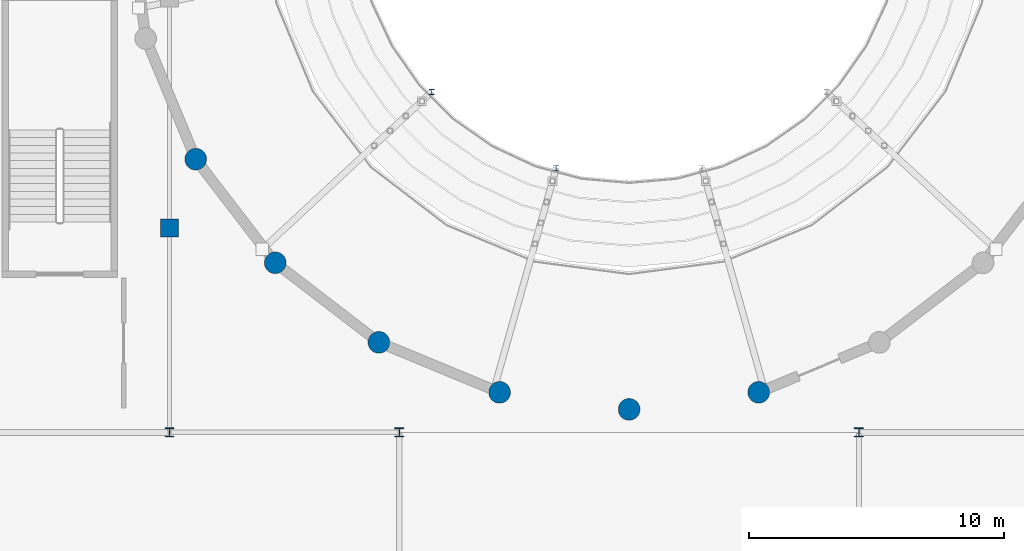
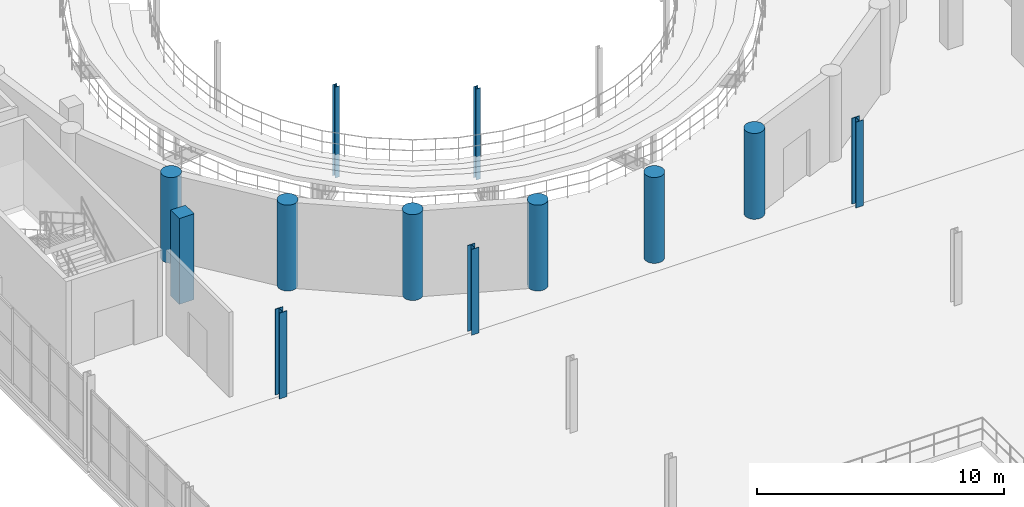
# One storey, part 7 of 73: 12 columns.
"""IFC4 building model written with IfcOpenShell, lengths in metres."""

import ifcopenshell
import ifcopenshell.guid

model = None  # the IFC model being written
_history = None  # IfcOwnerHistory: only IFC2X3 demands one
_inside = {}  # id of a spatial element -> (the spatial element, [elements in it])
_under = {}  # id of a project, library or spatial element -> (it, [spatial elements below it])
_declared = {}  # id of a project -> (the project, [libraries it declares])
_typed = {}  # id of a type object -> (the type object, [elements of that type])
_made_of = {}  # id of a material, layer set ... -> (it, [elements and type objects made of it])


def new_model(schema):
    """Start an empty IFC model of exactly this schema.

    Asked for "IFC4X3", IfcOpenShell would pick the latest addendum, in which some entities
    have other attributes; the version numbers below select the first issue.
    IFC2X3 requires an IfcOwnerHistory on every rooted entity: one is made here for all.
    """
    global model, _history
    if schema == "IFC4X3":
        model = ifcopenshell.file(schema_version=(4, 3, 0, 0))
    else:
        model = ifcopenshell.file(schema=schema)
    _inside.clear()
    _under.clear()
    _declared.clear()
    _typed.clear()
    _made_of.clear()
    _history = None
    if model.schema == "IFC2X3":
        org = make("IfcOrganization", Name="unknown")
        user = make(
            "IfcPersonAndOrganization",
            ThePerson=make("IfcPerson", FamilyName="unknown"),
            TheOrganization=org,
        )
        app = make(
            "IfcApplication",
            ApplicationDeveloper=org,
            Version="unknown",
            ApplicationFullName="unknown",
            ApplicationIdentifier="unknown",
        )
        _history = make(
            "IfcOwnerHistory",
            OwningUser=user,
            OwningApplication=app,
            ChangeAction="ADDED",
            CreationDate=0,
        )
    return model


def make(cls, **values):
    """One entity of the class cls with the attributes given. An attribute that is None is left unset."""
    return model.create_entity(
        cls, **{name: value for name, value in values.items() if value is not None}
    )


def rooted(cls, **values):
    """An entity with a GlobalId (a new one), such as an element, a storey or a relation."""
    return make(cls, GlobalId=ifcopenshell.guid.new(), OwnerHistory=_history, **values)


def si_unit(unit_type, name, prefix=None):
    """IfcSIUnit, for example si_unit("LENGTHUNIT", "METRE", prefix="MILLI")."""
    return make("IfcSIUnit", UnitType=unit_type, Prefix=prefix, Name=name)


def assignment(units):
    """IfcUnitAssignment: the units of a project."""
    return None if units is None else make("IfcUnitAssignment", Units=units)


def point(xyz):
    """IfcCartesianPoint."""
    return None if xyz is None else make("IfcCartesianPoint", Coordinates=xyz)


def direction(xyz):
    """IfcDirection."""
    return None if xyz is None else make("IfcDirection", DirectionRatios=xyz)


def frame(location, z_axis=None, x_axis=None):
    """IfcAxis2Placement3D, a coordinate frame: its origin and axes. An axis left out is left unset."""
    return make(
        "IfcAxis2Placement3D",
        Location=point(location),
        Axis=direction(z_axis),
        RefDirection=direction(x_axis),
    )


def frame_2d(location, x_axis=None):
    """IfcAxis2Placement2D, a coordinate frame in the plane: its origin and x axis."""
    return make(
        "IfcAxis2Placement2D", Location=point(location), RefDirection=direction(x_axis)
    )


def origin():
    """The frame at (0, 0, 0) with its axes left unset."""
    return frame((0.0, 0.0, 0.0))


def origin_2d():
    """The frame at (0, 0) in the plane with its x axis left unset."""
    return frame_2d((0.0, 0.0))


def place(relative_to, where):
    """IfcLocalPlacement: puts the frame where relative to a parent placement (None: the world)."""
    return make(
        "IfcLocalPlacement", PlacementRelTo=relative_to, RelativePlacement=where
    )


def context(
    kind, dimensions, precision=None, world=None, true_north=None, identifier=None
):
    """IfcGeometricRepresentationContext, for example the 3D "Model" context."""
    return make(
        "IfcGeometricRepresentationContext",
        ContextIdentifier=identifier,
        ContextType=kind,
        CoordinateSpaceDimension=dimensions,
        Precision=precision,
        WorldCoordinateSystem=world,
        TrueNorth=true_north,
    )


def subcontext(parent, identifier, kind, view, scale=None):
    """IfcGeometricRepresentationSubContext, for example "Body" below "Model"."""
    return make(
        "IfcGeometricRepresentationSubContext",
        ContextIdentifier=identifier,
        ContextType=kind,
        ParentContext=parent,
        TargetScale=scale,
        TargetView=view,
    )


def project(units=None, contexts=None):
    """IfcProject with its units and contexts."""
    return rooted(
        "IfcProject",
        Name="project",
        RepresentationContexts=contexts,
        UnitsInContext=assignment(units),
    )


def spatial(cls, under=None, at=None, **own):
    """A site, building, storey or space (cls), placed at a placement, below another one or the project."""
    s = rooted(cls, ObjectPlacement=at, **own)
    if under is not None:
        _under.setdefault(under.id(), (under, []))[1].append(s)
    return s


def profile(cls, at=None, kind="AREA", **sizes):
    """A parametric profile (cls). Its sizes go by their IFC names, for example OverallWidth=200.0."""
    return make(cls, ProfileType=kind, Position=at, **sizes)


def rectangle(**sizes):
    """IfcRectangleProfileDef."""
    return profile("IfcRectangleProfileDef", **sizes)


def circle(**sizes):
    """IfcCircleProfileDef."""
    return profile("IfcCircleProfileDef", **sizes)


def i_section(**sizes):
    """IfcIShapeProfileDef."""
    return profile("IfcIShapeProfileDef", **sizes)


def extrude(swept, where, along, depth):
    """IfcExtrudedAreaSolid: the profile swept, set in the frame where, extruded along a direction by depth."""
    return make(
        "IfcExtrudedAreaSolid",
        SweptArea=swept,
        Position=where,
        ExtrudedDirection=direction(along),
        Depth=depth,
    )


def shape(context_of_items, identifier, shape_type, items):
    """IfcShapeRepresentation: the items that make up one representation, for example the "Body"."""
    return make(
        "IfcShapeRepresentation",
        ContextOfItems=context_of_items,
        RepresentationIdentifier=identifier,
        RepresentationType=shape_type,
        Items=items,
    )


def material(Name=None, Category=None):
    """IfcMaterial."""
    return make("IfcMaterial", Name=Name, Category=Category)


def material_profile(
    of_material, cross_section, Name=None, Category=None, Priority=None
):
    """IfcMaterialProfile: a cross section and its material."""
    return make(
        "IfcMaterialProfile",
        Name=Name,
        Material=of_material,
        Profile=cross_section,
        Priority=Priority,
        Category=Category,
    )


def profile_set(profiles, Name=None, composite=None):
    """IfcMaterialProfileSet."""
    return make(
        "IfcMaterialProfileSet",
        Name=Name,
        MaterialProfiles=profiles,
        CompositeProfile=composite,
    )


def made_of(thing, what):
    """Note that an element or type object is made of a material, layer set ...; save() writes the relation."""
    if what is not None:
        _made_of.setdefault(what.id(), (what, []))[1].append(thing)
    return thing


def type_object(cls, material=None, **own):
    """A type object (cls), such as IfcWallType, which elements share."""
    return made_of(rooted(cls, **own), material)


def element(
    cls,
    number,
    at=None,
    inside=None,
    cuts=None,
    type_object=None,
    material=None,
    context=None,
    identifier="Body",
    shape_type=None,
    held_by="IfcProductDefinitionShape",
    body=None,
    shapes=None,
    **own,
):
    """One element of the class cls, such as IfcWall. Its Tag is "e" and its number.

    at: its placement. inside: the storey or other place that contains it. cuts: it is an
    opening in that element (IfcRelVoidsElement). A single representation is given by context,
    identifier, shape_type and body (its items); several are given by shapes. held_by: the class
    of the entity that holds the representations. save() writes the other relations.
    """
    e = rooted(cls, Tag="e%d" % number, ObjectPlacement=at, **own)
    if body is not None:
        shapes = [shape(context, identifier, shape_type, body)]
    if shapes is not None:
        e.Representation = make(held_by, Representations=shapes)
    if inside is not None:
        _inside.setdefault(inside.id(), (inside, []))[1].append(e)
    if cuts is not None:
        rooted(
            "IfcRelVoidsElement", RelatingBuildingElement=cuts, RelatedOpeningElement=e
        )
    if type_object is not None:
        _typed.setdefault(type_object.id(), (type_object, []))[1].append(e)
    return made_of(e, material)


def aggregate(whole, parts):
    """IfcRelAggregates: a whole, such as a stair, and the parts it consists of."""
    return rooted("IfcRelAggregates", RelatingObject=whole, RelatedObjects=parts)


def save(model, path):
    """Write the relations noted so far, then the file.

    IfcRelAggregates (storeys below a building ...), IfcRelContainedInSpatialStructure (elements
    in a storey), IfcRelDefinesByType, IfcRelAssociatesMaterial and IfcRelDeclares: one each for
    every whole, place, type object, material and project.
    """
    for whole, parts in _under.values():
        aggregate(whole, parts)
    for where, things in _inside.values():
        rooted(
            "IfcRelContainedInSpatialStructure",
            RelatedElements=things,
            RelatingStructure=where,
        )
    for kind, things in _typed.values():
        rooted("IfcRelDefinesByType", RelatedObjects=things, RelatingType=kind)
    for what, things in _made_of.values():
        rooted("IfcRelAssociatesMaterial", RelatedObjects=things, RelatingMaterial=what)
    for by, libraries in _declared.values():
        rooted("IfcRelDeclares", RelatingContext=by, RelatedDefinitions=libraries)
    model.write(path)


model = new_model("IFC4")

# Units and contexts
model_context = context("Model", 3, precision=1e-05, world=origin(), true_north=direction((0.0, 1.0)))
body_context = subcontext(model_context, "Body", "Model", "MODEL_VIEW")
ifc_project = project(units=[si_unit("LENGTHUNIT", "METRE"), si_unit("AREAUNIT", "SQUARE_METRE"), si_unit("VOLUMEUNIT", "CUBIC_METRE"), si_unit("PLANEANGLEUNIT", "RADIAN"), si_unit("MASSUNIT", "GRAM", prefix="KILO")], contexts=[model_context])

# Site, building, storey
site_placement = place(None, origin())
site = spatial("IfcSite", under=ifc_project, at=site_placement, CompositionType="ELEMENT")
building_placement = place(site_placement, origin())
building = spatial("IfcBuilding", under=site, at=building_placement, Name="Marnock Terrace Opera House", CompositionType="ELEMENT")
storey_placement = place(building_placement, frame((0.0, 0.0, 14.699951171875)))
storey = spatial("IfcBuildingStorey", under=building, at=storey_placement, Name="L03", CompositionType="ELEMENT", Elevation=14.699951171875)

# Columns
ifc_material_1 = material(Name="Concrete N50 (f'c = 50 MPa)", Category="concrete")
ifc_material_profile_1 = material_profile(ifc_material_1, circle(Radius=0.425048828125, at=origin_2d()))
ifc_profile_set_1 = profile_set([ifc_material_profile_1], Name="Concrete N50 (f'c = 50 MPa)")
column_type_1 = type_object("IfcColumnType", Name="COL-DRUM-850", PredefinedType="COLUMN", material=ifc_profile_set_1)
for number, where, z_axis, x_axis, name in (
    (1, (65.02587890625, 50.699951171875, 0.0), (0.0, 0.0, 1.0), (1.0, 0.0, 0.0), "L03 auditorium drum pier 15"),
    (2, (68.14111328125, 46.64111328125, 0.0), (0.0, 0.0, 1.0), (1.0, 0.0, 0.0), "L03 auditorium drum pier 16"),
    (3, (72.199951171875, 43.52587890625, 0.0), (0.0, 0.0, 1.0), (1.0, 0.0, 0.0), "L03 auditorium drum pier 17"),
    (4, (76.927001953125, 41.568115234375, 0.0), (0.0, 0.0, 1.0), (1.0, 0.0, 0.0), "L03 auditorium drum pier 18"),
    (5, (82.0, 40.89990234375, 0.0), (0.0, 0.0, 1.0), (1.0, 0.0, 0.0), "L03 auditorium drum pier 19"),
    (6, (87.072998046875, 41.568115234375, 0.0), (0.0, 0.0, 1.0), (1.0, 0.0, 0.0), "L03 auditorium drum pier 20"),
):
    element("IfcColumn", number, at=place(storey_placement, frame(where, z_axis=z_axis, x_axis=x_axis)), inside=storey, type_object=column_type_1, Name=name, PredefinedType="COLUMN", context=body_context, shape_type="SweptSolid", body=[
        extrude(circle(Radius=0.425048828125, at=origin_2d()), origin(), (0.0, 0.0, 1.0), 4.25),
    ])
ifc_material_2 = material(Name="Concrete N40 (f'c = 40 MPa)", Category="concrete")
ifc_material_profile_2 = material_profile(ifc_material_2, rectangle(XDim=0.699951171875, YDim=0.699951171875, at=origin_2d()))
ifc_profile_set_2 = profile_set([ifc_material_profile_2], Name="Concrete N40 (f'c = 40 MPa)")
column_type_2 = type_object("IfcColumnType", Name="COL-RC700", PredefinedType="COLUMN", material=ifc_profile_set_2)
column_placement = place(storey_placement, frame((64.0, 48.0, 0.0), z_axis=(0.0, 0.0, 1.0), x_axis=(1.0, 0.0, 0.0)))
element("IfcColumn", 7, at=column_placement, inside=storey, type_object=column_type_2, Name="L03 column at (64.0, 48.0)", PredefinedType="COLUMN", context=body_context, shape_type="SweptSolid", body=[
    extrude(rectangle(XDim=0.699951171875, YDim=0.699951171875, at=origin_2d()), origin(), (0.0, 0.0, 1.0), 4.25),
])
ifc_material_3 = material(Name="Steel Grade 350 (AS/NZS 3679.1)", Category="steel")
ifc_material_profile_3 = material_profile(ifc_material_3, i_section(OverallWidth=0.205078125, OverallDepth=0.209716796875, WebThickness=0.00927734375, FlangeThickness=0.01416015625, FilletRadius=0.011474609375, at=origin_2d()))
ifc_profile_set_3 = profile_set([ifc_material_profile_3], Name="Steel Grade 350 (AS/NZS 3679.1)")
column_type_3 = type_object("IfcColumnType", Name="COL-UC200", PredefinedType="COLUMN", material=ifc_profile_set_3)
for number, where, z_axis, x_axis, name in (
    (8, (74.266357421875, 53.32421875, -0.81005859375), (0.0, 0.0, 1.0), (1.0, 0.0, 0.0), "L03 Auditorium balcony-front column 3"),
    (9, (79.142578125, 50.34423828125, -0.81005859375), (0.0, 0.0, 1.0), (1.0, 0.0, 0.0), "L03 Auditorium balcony-front column 4"),
):
    element("IfcColumn", number, at=place(storey_placement, frame(where, z_axis=z_axis, x_axis=x_axis)), inside=storey, type_object=column_type_3, Name=name, PredefinedType="COLUMN", context=body_context, shape_type="SweptSolid", body=[
        extrude(i_section(OverallWidth=0.205078125, OverallDepth=0.209716796875, WebThickness=0.00927734375, FlangeThickness=0.01416015625, FilletRadius=0.011474609375, at=origin_2d()), origin(), (0.0, 0.0, 1.0), 4.510009765625),
    ])
ifc_material_4 = material(Name="Steel Grade 350 Welded (AS/NZS 3679.2)", Category="steel")
ifc_material_profile_4 = material_profile(ifc_material_4, i_section(OverallWidth=0.35009765625, OverallDepth=0.35009765625, WebThickness=0.01611328125, FlangeThickness=0.028076171875, at=origin_2d()))
ifc_profile_set_4 = profile_set([ifc_material_profile_4], Name="Steel Grade 350 Welded (AS/NZS 3679.2)")
column_type_4 = type_object("IfcColumnType", Name="COL-WC350", PredefinedType="COLUMN", material=ifc_profile_set_4)
for number, where, z_axis, x_axis, name in (
    (10, (64.0, 40.0, 0.0), (0.0, 0.0, 1.0), (1.0, 0.0, 0.0), "L03 column at (64.0, 40.0)"),
    (11, (73.0, 40.0, 0.0), (0.0, 0.0, 1.0), (1.0, 0.0, 0.0), "L03 column at (73.0, 40.0)"),
    (12, (91.0, 40.0, 0.0), (0.0, 0.0, 1.0), (1.0, 0.0, 0.0), "L03 column at (91.0, 40.0)"),
):
    element("IfcColumn", number, at=place(storey_placement, frame(where, z_axis=z_axis, x_axis=x_axis)), inside=storey, type_object=column_type_4, Name=name, PredefinedType="COLUMN", context=body_context, shape_type="SweptSolid", body=[
        extrude(i_section(OverallWidth=0.35009765625, OverallDepth=0.35009765625, WebThickness=0.01611328125, FlangeThickness=0.028076171875, at=origin_2d()), origin(), (0.0, 0.0, 1.0), 4.25),
    ])

save(model, "model.ifc")
